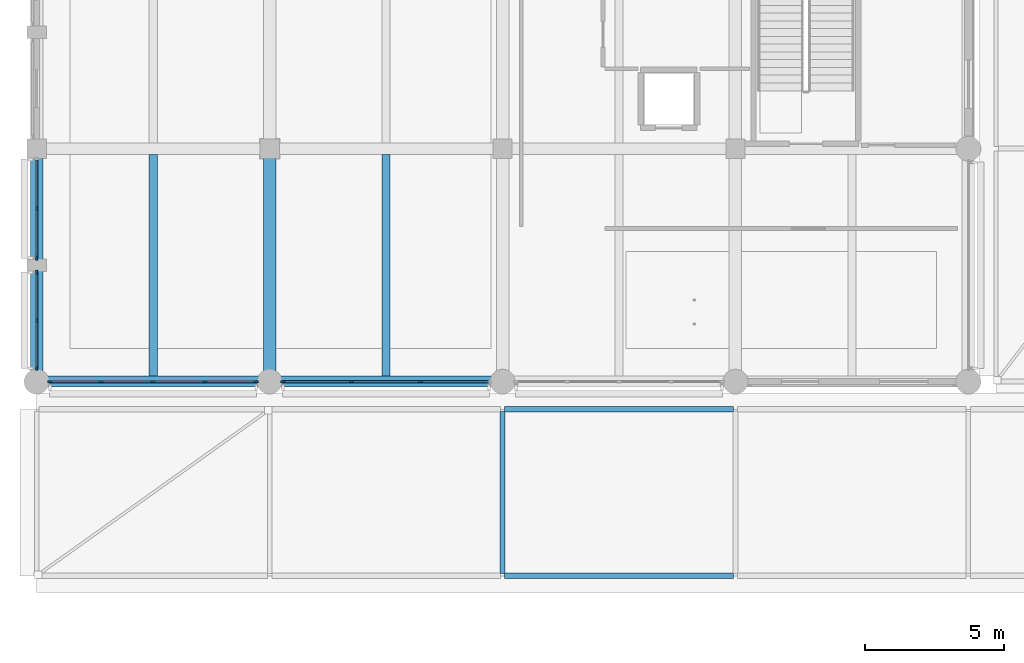
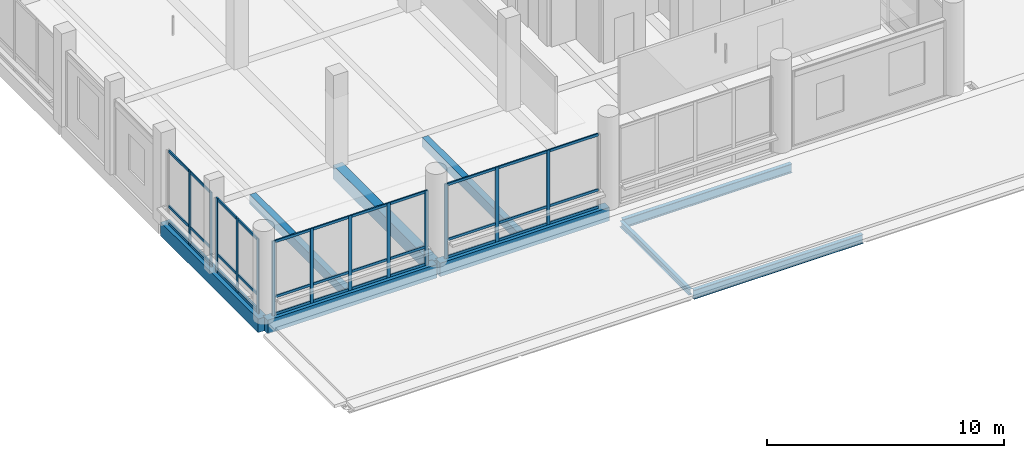
# One storey, part 4 of 128: 46 members, 9 beams, 4 elements without a shape of their own.
"""IFC4 building model written with IfcOpenShell, lengths in metres."""

from ifc_helpers import new_model, si_unit, direction, frame, origin, origin_2d, place, context, subcontext, project, spatial, rectangle, i_section, extrude, material, layer, layer_set, material_profile, profile_set, type_object, element, aggregate, save


model = new_model("IFC4")

# Units and contexts
model_context = context("Model", 3, precision=1e-05, world=origin(), true_north=direction((0.0, 1.0)))
body_context = subcontext(model_context, "Body", "Model", "MODEL_VIEW")
ifc_project = project(units=[si_unit("LENGTHUNIT", "METRE"), si_unit("AREAUNIT", "SQUARE_METRE"), si_unit("VOLUMEUNIT", "CUBIC_METRE"), si_unit("PLANEANGLEUNIT", "RADIAN"), si_unit("MASSUNIT", "GRAM", prefix="KILO")], contexts=[model_context])

# Site, building, storey
site_placement = place(None, origin())
site = spatial("IfcSite", under=ifc_project, at=site_placement, CompositionType="ELEMENT")
building_placement = place(site_placement, origin())
building = spatial("IfcBuilding", under=site, at=building_placement, Name="Telukmera Botanical Conservatory", CompositionType="ELEMENT")
storey_placement = place(building_placement, frame((0.0, 0.0, 5.39990234375)))
storey = spatial("IfcBuildingStorey", under=building, at=storey_placement, Name="L01", CompositionType="ELEMENT", Elevation=5.39990234375)

# Beams
ifc_material_1 = material(Name="Concrete C40/50", Category="concrete")
ifc_material_profile_1 = material_profile(ifc_material_1, rectangle(XDim=0.449951171875, YDim=0.699951171875, at=origin_2d()), Name="RC 450x700")
ifc_profile_set_1 = profile_set([ifc_material_profile_1], Name="Concrete C40/50")
beam_type_1 = type_object("IfcBeamType", Name="Beam_B15", PredefinedType="BEAM", material=ifc_profile_set_1)
for number, where, z_axis, x_axis, name in (
    (1, (8.39990234375, 17.679931640625, -0.349853515625), (0.0, 1.0, 0.0), (-1.0, 0.0, 0.0), "Visitor Wing Transverse Beam L01"),
    (2, (16.800048828125, 17.679931640625, -0.349853515625), (0.0, 1.0, 0.0), (-1.0, 0.0, 0.0), "Visitor Wing Transverse Beam L01"),
):
    element("IfcBeam", number, at=place(storey_placement, frame(where, z_axis=z_axis, x_axis=x_axis)), inside=storey, type_object=beam_type_1, Name=name, PredefinedType="BEAM", context=body_context, shape_type="SweptSolid", body=[
        extrude(rectangle(XDim=0.449951171875, YDim=0.699951171875, at=origin_2d()), origin(), (0.0, 0.0, 1.0), 8.239990234375),
    ])
ifc_material_profile_2 = material_profile(ifc_material_1, rectangle(XDim=0.300048828125, YDim=0.5, at=origin_2d()), Name="RC 300x500")
ifc_profile_set_2 = profile_set([ifc_material_profile_2], Name="Concrete C40/50")
beam_type_2 = type_object("IfcBeamType", Name="Beam_B24", PredefinedType="JOIST", material=ifc_profile_set_2)
for number, where, z_axis, x_axis, name in (
    (3, (12.60009765625, 17.800048828125, -0.25), (0.0, 1.0, 0.0), (-1.0, 0.0, 0.0), "Visitor Wing Floor Joist L01"),
    (4, (21.0, 17.800048828125, -0.25), (0.0, 1.0, 0.0), (-1.0, 0.0, 0.0), "Visitor Wing Floor Joist L01"),
):
    element("IfcBeam", number, at=place(storey_placement, frame(where, z_axis=z_axis, x_axis=x_axis)), inside=storey, type_object=beam_type_2, Name=name, PredefinedType="JOIST", context=body_context, shape_type="SweptSolid", body=[
        extrude(rectangle(XDim=0.300048828125, YDim=0.5, at=origin_2d()), origin(), (0.0, 0.0, 1.0), 8.0),
    ])
ifc_material_profile_3 = material_profile(ifc_material_1, rectangle(XDim=0.39990234375, YDim=0.699951171875, at=origin_2d()), Name="RC 400x700")
ifc_profile_set_3 = profile_set([ifc_material_profile_3], Name="Concrete C40/50")
beam_type_3 = type_object("IfcBeamType", Name="Beam_B7", PredefinedType="BEAM", material=ifc_profile_set_3)
beam_1_placement = place(storey_placement, frame((8.47998046875, 17.60009765625, -0.349853515625), z_axis=(1.0, 0.0, 0.0), x_axis=(0.0, 1.0, 0.0)))
element("IfcBeam", 5, at=beam_1_placement, inside=storey, type_object=beam_type_3, Name="Visitor Wing Grid Beam L01", PredefinedType="BEAM", context=body_context, shape_type="SweptSolid", body=[
    extrude(rectangle(XDim=0.39990234375, YDim=0.699951171875, at=origin_2d()), origin(), (0.0, 0.0, 1.0), 8.239990234375),
])
beam_2_placement = place(storey_placement, frame((16.8798828125, 17.60009765625, -0.349853515625), z_axis=(1.0, 0.0, 0.0), x_axis=(0.0, 1.0, 0.0)))
element("IfcBeam", 6, at=beam_2_placement, inside=storey, type_object=beam_type_3, Name="Visitor Wing Grid Beam L01", PredefinedType="BEAM", context=body_context, shape_type="SweptSolid", body=[
    extrude(rectangle(XDim=0.39990234375, YDim=0.699951171875, at=origin_2d()), origin(), (0.0, 0.0, 1.0), 8.240234375),
])
ifc_material_2 = material(Name="Steel S355", Category="steel")
ifc_material_profile_4 = material_profile(ifc_material_2, i_section(OverallWidth=0.19140625, OverallDepth=0.4599609375, WebThickness=0.010009765625, FlangeThickness=0.01611328125, FilletRadius=0.01025390625, at=origin_2d()), Name="UB 457x191x82")
ifc_profile_set_4 = profile_set([ifc_material_profile_4], Name="Steel S355")
beam_type_4 = type_object("IfcBeamType", Name="Beam_SB3", PredefinedType="BEAM", material=ifc_profile_set_4)
for number, where, z_axis, x_axis, name in (
    (7, (25.280029296875, 10.60009765625, -0.389892578125), (1.0, 0.0, 0.0), (0.0, 1.0, 0.0), "Canopy Steel Girder forecourt"),
    (8, (25.280029296875, 16.60009765625, -0.389892578125), (1.0, 0.0, 0.0), (0.0, 1.0, 0.0), "Canopy Steel Girder forecourt"),
):
    element("IfcBeam", number, at=place(storey_placement, frame(where, z_axis=z_axis, x_axis=x_axis)), inside=storey, type_object=beam_type_4, Name=name, PredefinedType="BEAM", context=body_context, shape_type="SweptSolid", body=[
        extrude(i_section(OverallWidth=0.19140625, OverallDepth=0.4599609375, WebThickness=0.010009765625, FlangeThickness=0.01611328125, FilletRadius=0.01025390625, at=origin_2d()), origin(), (0.0, 0.0, 1.0), 8.239990234375),
    ])
ifc_material_profile_5 = material_profile(ifc_material_2, i_section(OverallWidth=0.165771484375, OverallDepth=0.306640625, WebThickness=0.006591796875, FlangeThickness=0.01171875, FilletRadius=0.0087890625, at=origin_2d()), Name="UB 305x165x46")
ifc_profile_set_5 = profile_set([ifc_material_profile_5], Name="Steel S355")
beam_type_5 = type_object("IfcBeamType", Name="Beam_SB6", PredefinedType="JOIST", material=ifc_profile_set_5)
beam_3_placement = place(storey_placement, frame((25.199951171875, 10.679931640625, -0.313232421875), z_axis=(0.0, 1.0, 0.0), x_axis=(-1.0, 0.0, 0.0)))
element("IfcBeam", 9, at=beam_3_placement, inside=storey, type_object=beam_type_5, Name="Canopy Steel Purlin forecourt", PredefinedType="JOIST", context=body_context, shape_type="SweptSolid", body=[
    extrude(i_section(OverallWidth=0.165771484375, OverallDepth=0.306640625, WebThickness=0.006591796875, FlangeThickness=0.01171875, FilletRadius=0.0087890625, at=origin_2d()), origin(), (0.0, 0.0, 1.0), 5.840087890625),
])

# Curtain wall, members
ifc_material_3 = material(Name="Anodised aluminium 6063-T6", Category="aluminium")
ifc_layer_1 = layer(ifc_material_3, 0.179931640625)
ifc_layer_set_1 = layer_set([ifc_layer_1], Name="Anodised aluminium 6063-T6")
curtain_wall_type_1 = type_object("IfcCurtainWallType", Name="Visitor Gallery First Floor Curtain Wall 1800 Mod", PredefinedType="USERDEFINED", material=ifc_layer_set_1)
curtain_wall_1_placement = place(storey_placement, origin())
curtain_wall_1 = element("IfcCurtainWall", 10, at=curtain_wall_1_placement, inside=storey, type_object=curtain_wall_type_1, Name="Unitised Curtain Wall CW08 V3:L01:S1", ObjectType="UNITISED CURTAIN WALL", PredefinedType="USERDEFINED")
ifc_material_profile_6 = material_profile(ifc_material_3, rectangle(XDim=0.06494140625, YDim=0.159912109375, at=origin_2d()), Name="ALU MULL 65x160")
ifc_profile_set_6 = profile_set([ifc_material_profile_6], Name="Anodised aluminium 6063-T6")
member_type_1 = type_object("IfcMemberType", Name="Curtain Wall Extruded Mullion 65x160", PredefinedType="MULLION", material=ifc_profile_set_6)
member_1_placement = place(storey_placement, frame((8.884521484375, 17.60009765625, 0.0), z_axis=(0.0, 0.0, 1.0), x_axis=(0.0, 1.0, 0.0)))
member_1 = element("IfcMember", 11, at=member_1_placement, type_object=member_type_1, Name="CW08 mullion 1", PredefinedType="MULLION", context=body_context, shape_type="SweptSolid", body=[
    extrude(rectangle(XDim=0.06494140625, YDim=0.159912109375, at=origin_2d()), origin(), (0.0, 0.0, 1.0), 3.85009765625),
])
member_2_placement = place(storey_placement, frame((10.72607421875, 17.60009765625, 0.0), z_axis=(0.0, 0.0, 1.0), x_axis=(0.0, 1.0, 0.0)))
member_2 = element("IfcMember", 12, at=member_2_placement, type_object=member_type_1, Name="CW08 mullion 2", PredefinedType="MULLION", context=body_context, shape_type="SweptSolid", body=[
    extrude(rectangle(XDim=0.06494140625, YDim=0.159912109375, at=origin_2d()), origin(), (0.0, 0.0, 1.0), 3.85009765625),
])
member_3_placement = place(storey_placement, frame((12.60009765625, 17.60009765625, 0.0), z_axis=(0.0, 0.0, 1.0), x_axis=(0.0, 1.0, 0.0)))
member_3 = element("IfcMember", 13, at=member_3_placement, type_object=member_type_1, Name="CW08 mullion 3", PredefinedType="MULLION", context=body_context, shape_type="SweptSolid", body=[
    extrude(rectangle(XDim=0.06494140625, YDim=0.159912109375, at=origin_2d()), origin(), (0.0, 0.0, 1.0), 3.85009765625),
])
member_4_placement = place(storey_placement, frame((14.47412109375, 17.60009765625, 0.0), z_axis=(0.0, 0.0, 1.0), x_axis=(0.0, 1.0, 0.0)))
member_4 = element("IfcMember", 14, at=member_4_placement, type_object=member_type_1, Name="CW08 mullion 4", PredefinedType="MULLION", context=body_context, shape_type="SweptSolid", body=[
    extrude(rectangle(XDim=0.06494140625, YDim=0.159912109375, at=origin_2d()), origin(), (0.0, 0.0, 1.0), 3.85009765625),
])
member_5_placement = place(storey_placement, frame((16.3154296875, 17.60009765625, 0.0), z_axis=(0.0, 0.0, 1.0), x_axis=(0.0, 1.0, 0.0)))
member_5 = element("IfcMember", 15, at=member_5_placement, type_object=member_type_1, Name="CW08 mullion 5", PredefinedType="MULLION", context=body_context, shape_type="SweptSolid", body=[
    extrude(rectangle(XDim=0.06494140625, YDim=0.159912109375, at=origin_2d()), origin(), (0.0, 0.0, 1.0), 3.85009765625),
])

ifc_layer_2 = layer(ifc_material_3, 0.179931640625)
ifc_layer_set_2 = layer_set([ifc_layer_2], Name="Anodised aluminium 6063-T6")
curtain_wall_type_2 = type_object("IfcCurtainWallType", Name="Visitor Gallery Second Floor Curtain Wall 2400 Mod", PredefinedType="USERDEFINED", material=ifc_layer_set_2)
curtain_wall_2_placement = place(storey_placement, origin())
curtain_wall_2 = element("IfcCurtainWall", 16, at=curtain_wall_2_placement, inside=storey, type_object=curtain_wall_type_2, Name="Unitised Curtain Wall CW09 V3:L01:S2", ObjectType="UNITISED CURTAIN WALL", PredefinedType="USERDEFINED")
member_6_placement = place(storey_placement, frame((17.284423828125, 17.60009765625, 0.0), z_axis=(0.0, 0.0, 1.0), x_axis=(0.0, 1.0, 0.0)))
member_6 = element("IfcMember", 17, at=member_6_placement, type_object=member_type_1, Name="CW09 mullion 1", PredefinedType="MULLION", context=body_context, shape_type="SweptSolid", body=[
    extrude(rectangle(XDim=0.06494140625, YDim=0.159912109375, at=origin_2d()), origin(), (0.0, 0.0, 1.0), 3.85009765625),
])
member_7_placement = place(storey_placement, frame((19.750732421875, 17.60009765625, 0.0), z_axis=(0.0, 0.0, 1.0), x_axis=(0.0, 1.0, 0.0)))
member_7 = element("IfcMember", 18, at=member_7_placement, type_object=member_type_1, Name="CW09 mullion 2", PredefinedType="MULLION", context=body_context, shape_type="SweptSolid", body=[
    extrude(rectangle(XDim=0.06494140625, YDim=0.159912109375, at=origin_2d()), origin(), (0.0, 0.0, 1.0), 3.85009765625),
])
member_8_placement = place(storey_placement, frame((22.249267578125, 17.60009765625, 0.0), z_axis=(0.0, 0.0, 1.0), x_axis=(0.0, 1.0, 0.0)))
member_8 = element("IfcMember", 19, at=member_8_placement, type_object=member_type_1, Name="CW09 mullion 3", PredefinedType="MULLION", context=body_context, shape_type="SweptSolid", body=[
    extrude(rectangle(XDim=0.06494140625, YDim=0.159912109375, at=origin_2d()), origin(), (0.0, 0.0, 1.0), 3.85009765625),
])

curtain_wall_3_placement = place(storey_placement, origin())
curtain_wall_3 = element("IfcCurtainWall", 20, at=curtain_wall_3_placement, inside=storey, type_object=curtain_wall_type_1, Name="Unitised Curtain Wall CW08 V3:L01:W1A", ObjectType="UNITISED CURTAIN WALL", PredefinedType="USERDEFINED")
member_9_placement = place(storey_placement, frame((8.39990234375, 18.08447265625, 0.0), z_axis=(0.0, 0.0, 1.0), x_axis=(-1.0, 0.0, 0.0)))
member_9 = element("IfcMember", 21, at=member_9_placement, type_object=member_type_1, Name="CW08 mullion 1", PredefinedType="MULLION", context=body_context, shape_type="SweptSolid", body=[
    extrude(rectangle(XDim=0.06494140625, YDim=0.159912109375, at=origin_2d()), origin(), (0.0, 0.0, 1.0), 3.85009765625),
])
member_10_placement = place(storey_placement, frame((8.39990234375, 19.8125, 0.0), z_axis=(0.0, 0.0, 1.0), x_axis=(-1.0, 0.0, 0.0)))
member_10 = element("IfcMember", 22, at=member_10_placement, type_object=member_type_1, Name="CW08 mullion 2", PredefinedType="MULLION", context=body_context, shape_type="SweptSolid", body=[
    extrude(rectangle(XDim=0.06494140625, YDim=0.159912109375, at=origin_2d()), origin(), (0.0, 0.0, 1.0), 3.85009765625),
])
member_11_placement = place(storey_placement, frame((8.39990234375, 21.54052734375, 0.0), z_axis=(0.0, 0.0, 1.0), x_axis=(-1.0, 0.0, 0.0)))
member_11 = element("IfcMember", 23, at=member_11_placement, type_object=member_type_1, Name="CW08 mullion 3", PredefinedType="MULLION", context=body_context, shape_type="SweptSolid", body=[
    extrude(rectangle(XDim=0.06494140625, YDim=0.159912109375, at=origin_2d()), origin(), (0.0, 0.0, 1.0), 3.85009765625),
])

curtain_wall_4_placement = place(storey_placement, origin())
curtain_wall_4 = element("IfcCurtainWall", 24, at=curtain_wall_4_placement, inside=storey, type_object=curtain_wall_type_1, Name="Unitised Curtain Wall CW08 V3:L01:W1B", ObjectType="UNITISED CURTAIN WALL", PredefinedType="USERDEFINED")
member_12_placement = place(storey_placement, frame((8.39990234375, 22.0595703125, 0.0), z_axis=(0.0, 0.0, 1.0), x_axis=(-1.0, 0.0, 0.0)))
member_12 = element("IfcMember", 25, at=member_12_placement, type_object=member_type_1, Name="CW08 mullion 1", PredefinedType="MULLION", context=body_context, shape_type="SweptSolid", body=[
    extrude(rectangle(XDim=0.06494140625, YDim=0.159912109375, at=origin_2d()), origin(), (0.0, 0.0, 1.0), 3.85009765625),
])
member_13_placement = place(storey_placement, frame((8.39990234375, 23.83740234375, 0.0), z_axis=(0.0, 0.0, 1.0), x_axis=(-1.0, 0.0, 0.0)))
member_13 = element("IfcMember", 26, at=member_13_placement, type_object=member_type_1, Name="CW08 mullion 2", PredefinedType="MULLION", context=body_context, shape_type="SweptSolid", body=[
    extrude(rectangle(XDim=0.06494140625, YDim=0.159912109375, at=origin_2d()), origin(), (0.0, 0.0, 1.0), 3.85009765625),
])

# Member
ifc_material_profile_7 = material_profile(ifc_material_3, rectangle(XDim=0.06494140625, YDim=0.1298828125, at=origin_2d()), Name="ALU TRAN 65x130")
ifc_profile_set_7 = profile_set([ifc_material_profile_7], Name="Anodised aluminium 6063-T6")
member_type_2 = type_object("IfcMemberType", Name="Curtain Wall Extruded Transom 65x130", PredefinedType="USERDEFINED", material=ifc_profile_set_7)
member_14_placement = place(storey_placement, frame((8.9169921875, 17.60009765625, 0.065185546875), z_axis=(1.0, 0.0, 0.0), x_axis=(0.0, 1.0, 0.0)))
member_14 = element("IfcMember", 27, at=member_14_placement, type_object=member_type_2, Name="CW08 transom 1.1", ObjectType="TRANSOM", PredefinedType="USERDEFINED", context=body_context, shape_type="SweptSolid", body=[
    extrude(rectangle(XDim=0.06494140625, YDim=0.1298828125, at=origin_2d()), origin(), (0.0, 0.0, 1.0), 1.776611328125),
])

member_15_placement = place(storey_placement, frame((8.9169921875, 17.60009765625, 0.9501953125), z_axis=(1.0, 0.0, 0.0), x_axis=(0.0, 1.0, 0.0)))
member_15 = element("IfcMember", 28, at=member_15_placement, type_object=member_type_2, Name="CW08 transom 1.2", ObjectType="TRANSOM", PredefinedType="USERDEFINED", context=body_context, shape_type="SweptSolid", body=[
    extrude(rectangle(XDim=0.06494140625, YDim=0.1298828125, at=origin_2d()), origin(), (0.0, 0.0, 1.0), 1.776611328125),
])

member_16_placement = place(storey_placement, frame((8.9169921875, 17.60009765625, 3.78515625), z_axis=(1.0, 0.0, 0.0), x_axis=(0.0, 1.0, 0.0)))
member_16 = element("IfcMember", 29, at=member_16_placement, type_object=member_type_2, Name="CW08 transom 1.3", ObjectType="TRANSOM", PredefinedType="USERDEFINED", context=body_context, shape_type="SweptSolid", body=[
    extrude(rectangle(XDim=0.06494140625, YDim=0.1298828125, at=origin_2d()), origin(), (0.0, 0.0, 1.0), 1.776611328125),
])

member_17_placement = place(storey_placement, frame((10.758544921875, 17.60009765625, 0.065185546875), z_axis=(1.0, 0.0, 0.0), x_axis=(0.0, 1.0, 0.0)))
member_17 = element("IfcMember", 30, at=member_17_placement, type_object=member_type_2, Name="CW08 transom 2.1", ObjectType="TRANSOM", PredefinedType="USERDEFINED", context=body_context, shape_type="SweptSolid", body=[
    extrude(rectangle(XDim=0.06494140625, YDim=0.1298828125, at=origin_2d()), origin(), (0.0, 0.0, 1.0), 1.808837890625),
])

member_18_placement = place(storey_placement, frame((10.758544921875, 17.60009765625, 0.9501953125), z_axis=(1.0, 0.0, 0.0), x_axis=(0.0, 1.0, 0.0)))
member_18 = element("IfcMember", 31, at=member_18_placement, type_object=member_type_2, Name="CW08 transom 2.2", ObjectType="TRANSOM", PredefinedType="USERDEFINED", context=body_context, shape_type="SweptSolid", body=[
    extrude(rectangle(XDim=0.06494140625, YDim=0.1298828125, at=origin_2d()), origin(), (0.0, 0.0, 1.0), 1.808837890625),
])

member_19_placement = place(storey_placement, frame((10.758544921875, 17.60009765625, 3.78515625), z_axis=(1.0, 0.0, 0.0), x_axis=(0.0, 1.0, 0.0)))
member_19 = element("IfcMember", 32, at=member_19_placement, type_object=member_type_2, Name="CW08 transom 2.3", ObjectType="TRANSOM", PredefinedType="USERDEFINED", context=body_context, shape_type="SweptSolid", body=[
    extrude(rectangle(XDim=0.06494140625, YDim=0.1298828125, at=origin_2d()), origin(), (0.0, 0.0, 1.0), 1.808837890625),
])

member_20_placement = place(storey_placement, frame((12.632568359375, 17.60009765625, 0.065185546875), z_axis=(1.0, 0.0, 0.0), x_axis=(0.0, 1.0, 0.0)))
member_20 = element("IfcMember", 33, at=member_20_placement, type_object=member_type_2, Name="CW08 transom 3.1", ObjectType="TRANSOM", PredefinedType="USERDEFINED", context=body_context, shape_type="SweptSolid", body=[
    extrude(rectangle(XDim=0.06494140625, YDim=0.1298828125, at=origin_2d()), origin(), (0.0, 0.0, 1.0), 1.808837890625),
])

member_21_placement = place(storey_placement, frame((12.632568359375, 17.60009765625, 0.9501953125), z_axis=(1.0, 0.0, 0.0), x_axis=(0.0, 1.0, 0.0)))
member_21 = element("IfcMember", 34, at=member_21_placement, type_object=member_type_2, Name="CW08 transom 3.2", ObjectType="TRANSOM", PredefinedType="USERDEFINED", context=body_context, shape_type="SweptSolid", body=[
    extrude(rectangle(XDim=0.06494140625, YDim=0.1298828125, at=origin_2d()), origin(), (0.0, 0.0, 1.0), 1.808837890625),
])

member_22_placement = place(storey_placement, frame((12.632568359375, 17.60009765625, 3.78515625), z_axis=(1.0, 0.0, 0.0), x_axis=(0.0, 1.0, 0.0)))
member_22 = element("IfcMember", 35, at=member_22_placement, type_object=member_type_2, Name="CW08 transom 3.3", ObjectType="TRANSOM", PredefinedType="USERDEFINED", context=body_context, shape_type="SweptSolid", body=[
    extrude(rectangle(XDim=0.06494140625, YDim=0.1298828125, at=origin_2d()), origin(), (0.0, 0.0, 1.0), 1.808837890625),
])

member_23_placement = place(storey_placement, frame((14.506591796875, 17.60009765625, 0.065185546875), z_axis=(1.0, 0.0, 0.0), x_axis=(0.0, 1.0, 0.0)))
member_23 = element("IfcMember", 36, at=member_23_placement, type_object=member_type_2, Name="CW08 transom 4.1", ObjectType="TRANSOM", PredefinedType="USERDEFINED", context=body_context, shape_type="SweptSolid", body=[
    extrude(rectangle(XDim=0.06494140625, YDim=0.1298828125, at=origin_2d()), origin(), (0.0, 0.0, 1.0), 1.7763671875),
])

member_24_placement = place(storey_placement, frame((14.506591796875, 17.60009765625, 0.9501953125), z_axis=(1.0, 0.0, 0.0), x_axis=(0.0, 1.0, 0.0)))
member_24 = element("IfcMember", 37, at=member_24_placement, type_object=member_type_2, Name="CW08 transom 4.2", ObjectType="TRANSOM", PredefinedType="USERDEFINED", context=body_context, shape_type="SweptSolid", body=[
    extrude(rectangle(XDim=0.06494140625, YDim=0.1298828125, at=origin_2d()), origin(), (0.0, 0.0, 1.0), 1.7763671875),
])

member_25_placement = place(storey_placement, frame((14.506591796875, 17.60009765625, 3.78515625), z_axis=(1.0, 0.0, 0.0), x_axis=(0.0, 1.0, 0.0)))
member_25 = element("IfcMember", 38, at=member_25_placement, type_object=member_type_2, Name="CW08 transom 4.3", ObjectType="TRANSOM", PredefinedType="USERDEFINED", context=body_context, shape_type="SweptSolid", body=[
    extrude(rectangle(XDim=0.06494140625, YDim=0.1298828125, at=origin_2d()), origin(), (0.0, 0.0, 1.0), 1.7763671875),
])

aggregate(curtain_wall_1, [member_1, member_2, member_3, member_4, member_5, member_14, member_15, member_16, member_17, member_18, member_19, member_20, member_21, member_22, member_23, member_24, member_25])

member_26_placement = place(storey_placement, frame((17.31689453125, 17.60009765625, 0.065185546875), z_axis=(1.0, 0.0, 0.0), x_axis=(0.0, 1.0, 0.0)))
member_26 = element("IfcMember", 39, at=member_26_placement, type_object=member_type_2, Name="CW09 transom 1.1", ObjectType="TRANSOM", PredefinedType="USERDEFINED", context=body_context, shape_type="SweptSolid", body=[
    extrude(rectangle(XDim=0.06494140625, YDim=0.1298828125, at=origin_2d()), origin(), (0.0, 0.0, 1.0), 2.4013671875),
])

member_27_placement = place(storey_placement, frame((17.31689453125, 17.60009765625, 0.9501953125), z_axis=(1.0, 0.0, 0.0), x_axis=(0.0, 1.0, 0.0)))
member_27 = element("IfcMember", 40, at=member_27_placement, type_object=member_type_2, Name="CW09 transom 1.2", ObjectType="TRANSOM", PredefinedType="USERDEFINED", context=body_context, shape_type="SweptSolid", body=[
    extrude(rectangle(XDim=0.06494140625, YDim=0.1298828125, at=origin_2d()), origin(), (0.0, 0.0, 1.0), 2.4013671875),
])

member_28_placement = place(storey_placement, frame((17.31689453125, 17.60009765625, 3.78515625), z_axis=(1.0, 0.0, 0.0), x_axis=(0.0, 1.0, 0.0)))
member_28 = element("IfcMember", 41, at=member_28_placement, type_object=member_type_2, Name="CW09 transom 1.3", ObjectType="TRANSOM", PredefinedType="USERDEFINED", context=body_context, shape_type="SweptSolid", body=[
    extrude(rectangle(XDim=0.06494140625, YDim=0.1298828125, at=origin_2d()), origin(), (0.0, 0.0, 1.0), 2.4013671875),
])

member_29_placement = place(storey_placement, frame((19.783203125, 17.60009765625, 0.065185546875), z_axis=(1.0, 0.0, 0.0), x_axis=(0.0, 1.0, 0.0)))
member_29 = element("IfcMember", 42, at=member_29_placement, type_object=member_type_2, Name="CW09 transom 2.1", ObjectType="TRANSOM", PredefinedType="USERDEFINED", context=body_context, shape_type="SweptSolid", body=[
    extrude(rectangle(XDim=0.06494140625, YDim=0.1298828125, at=origin_2d()), origin(), (0.0, 0.0, 1.0), 2.43359375),
])

member_30_placement = place(storey_placement, frame((19.783203125, 17.60009765625, 0.9501953125), z_axis=(1.0, 0.0, 0.0), x_axis=(0.0, 1.0, 0.0)))
member_30 = element("IfcMember", 43, at=member_30_placement, type_object=member_type_2, Name="CW09 transom 2.2", ObjectType="TRANSOM", PredefinedType="USERDEFINED", context=body_context, shape_type="SweptSolid", body=[
    extrude(rectangle(XDim=0.06494140625, YDim=0.1298828125, at=origin_2d()), origin(), (0.0, 0.0, 1.0), 2.43359375),
])

member_31_placement = place(storey_placement, frame((19.783203125, 17.60009765625, 3.78515625), z_axis=(1.0, 0.0, 0.0), x_axis=(0.0, 1.0, 0.0)))
member_31 = element("IfcMember", 44, at=member_31_placement, type_object=member_type_2, Name="CW09 transom 2.3", ObjectType="TRANSOM", PredefinedType="USERDEFINED", context=body_context, shape_type="SweptSolid", body=[
    extrude(rectangle(XDim=0.06494140625, YDim=0.1298828125, at=origin_2d()), origin(), (0.0, 0.0, 1.0), 2.43359375),
])

member_32_placement = place(storey_placement, frame((22.28173828125, 17.60009765625, 0.065185546875), z_axis=(1.0, 0.0, 0.0), x_axis=(0.0, 1.0, 0.0)))
member_32 = element("IfcMember", 45, at=member_32_placement, type_object=member_type_2, Name="CW09 transom 3.1", ObjectType="TRANSOM", PredefinedType="USERDEFINED", context=body_context, shape_type="SweptSolid", body=[
    extrude(rectangle(XDim=0.06494140625, YDim=0.1298828125, at=origin_2d()), origin(), (0.0, 0.0, 1.0), 2.4013671875),
])

member_33_placement = place(storey_placement, frame((22.28173828125, 17.60009765625, 0.9501953125), z_axis=(1.0, 0.0, 0.0), x_axis=(0.0, 1.0, 0.0)))
member_33 = element("IfcMember", 46, at=member_33_placement, type_object=member_type_2, Name="CW09 transom 3.2", ObjectType="TRANSOM", PredefinedType="USERDEFINED", context=body_context, shape_type="SweptSolid", body=[
    extrude(rectangle(XDim=0.06494140625, YDim=0.1298828125, at=origin_2d()), origin(), (0.0, 0.0, 1.0), 2.4013671875),
])

member_34_placement = place(storey_placement, frame((22.28173828125, 17.60009765625, 3.78515625), z_axis=(1.0, 0.0, 0.0), x_axis=(0.0, 1.0, 0.0)))
member_34 = element("IfcMember", 47, at=member_34_placement, type_object=member_type_2, Name="CW09 transom 3.3", ObjectType="TRANSOM", PredefinedType="USERDEFINED", context=body_context, shape_type="SweptSolid", body=[
    extrude(rectangle(XDim=0.06494140625, YDim=0.1298828125, at=origin_2d()), origin(), (0.0, 0.0, 1.0), 2.4013671875),
])

aggregate(curtain_wall_2, [member_6, member_7, member_8, member_26, member_27, member_28, member_29, member_30, member_31, member_32, member_33, member_34])

member_35_placement = place(storey_placement, frame((8.39990234375, 18.116943359375, 0.065185546875), z_axis=(0.0, 1.0, 0.0), x_axis=(-1.0, 0.0, 0.0)))
member_35 = element("IfcMember", 48, at=member_35_placement, type_object=member_type_2, Name="CW08 transom 1.1", ObjectType="TRANSOM", PredefinedType="USERDEFINED", context=body_context, shape_type="SweptSolid", body=[
    extrude(rectangle(XDim=0.06494140625, YDim=0.1298828125, at=origin_2d()), origin(), (0.0, 0.0, 1.0), 1.6630859375),
])

member_36_placement = place(storey_placement, frame((8.39990234375, 18.116943359375, 0.9501953125), z_axis=(0.0, 1.0, 0.0), x_axis=(-1.0, 0.0, 0.0)))
member_36 = element("IfcMember", 49, at=member_36_placement, type_object=member_type_2, Name="CW08 transom 1.2", ObjectType="TRANSOM", PredefinedType="USERDEFINED", context=body_context, shape_type="SweptSolid", body=[
    extrude(rectangle(XDim=0.06494140625, YDim=0.1298828125, at=origin_2d()), origin(), (0.0, 0.0, 1.0), 1.6630859375),
])

member_37_placement = place(storey_placement, frame((8.39990234375, 18.116943359375, 3.78515625), z_axis=(0.0, 1.0, 0.0), x_axis=(-1.0, 0.0, 0.0)))
member_37 = element("IfcMember", 50, at=member_37_placement, type_object=member_type_2, Name="CW08 transom 1.3", ObjectType="TRANSOM", PredefinedType="USERDEFINED", context=body_context, shape_type="SweptSolid", body=[
    extrude(rectangle(XDim=0.06494140625, YDim=0.1298828125, at=origin_2d()), origin(), (0.0, 0.0, 1.0), 1.6630859375),
])

member_38_placement = place(storey_placement, frame((8.39990234375, 19.844970703125, 0.065185546875), z_axis=(0.0, 1.0, 0.0), x_axis=(-1.0, 0.0, 0.0)))
member_38 = element("IfcMember", 51, at=member_38_placement, type_object=member_type_2, Name="CW08 transom 2.1", ObjectType="TRANSOM", PredefinedType="USERDEFINED", context=body_context, shape_type="SweptSolid", body=[
    extrude(rectangle(XDim=0.06494140625, YDim=0.1298828125, at=origin_2d()), origin(), (0.0, 0.0, 1.0), 1.6630859375),
])

member_39_placement = place(storey_placement, frame((8.39990234375, 19.844970703125, 0.9501953125), z_axis=(0.0, 1.0, 0.0), x_axis=(-1.0, 0.0, 0.0)))
member_39 = element("IfcMember", 52, at=member_39_placement, type_object=member_type_2, Name="CW08 transom 2.2", ObjectType="TRANSOM", PredefinedType="USERDEFINED", context=body_context, shape_type="SweptSolid", body=[
    extrude(rectangle(XDim=0.06494140625, YDim=0.1298828125, at=origin_2d()), origin(), (0.0, 0.0, 1.0), 1.6630859375),
])

member_40_placement = place(storey_placement, frame((8.39990234375, 19.844970703125, 3.78515625), z_axis=(0.0, 1.0, 0.0), x_axis=(-1.0, 0.0, 0.0)))
member_40 = element("IfcMember", 53, at=member_40_placement, type_object=member_type_2, Name="CW08 transom 2.3", ObjectType="TRANSOM", PredefinedType="USERDEFINED", context=body_context, shape_type="SweptSolid", body=[
    extrude(rectangle(XDim=0.06494140625, YDim=0.1298828125, at=origin_2d()), origin(), (0.0, 0.0, 1.0), 1.6630859375),
])

aggregate(curtain_wall_3, [member_9, member_10, member_11, member_35, member_36, member_37, member_38, member_39, member_40])

member_41_placement = place(storey_placement, frame((8.39990234375, 22.092041015625, 0.065185546875), z_axis=(0.0, 1.0, 0.0), x_axis=(-1.0, 0.0, 0.0)))
member_41 = element("IfcMember", 54, at=member_41_placement, type_object=member_type_2, Name="CW08 transom 1.1", ObjectType="TRANSOM", PredefinedType="USERDEFINED", context=body_context, shape_type="SweptSolid", body=[
    extrude(rectangle(XDim=0.06494140625, YDim=0.1298828125, at=origin_2d()), origin(), (0.0, 0.0, 1.0), 1.712890625),
])

member_42_placement = place(storey_placement, frame((8.39990234375, 22.092041015625, 0.9501953125), z_axis=(0.0, 1.0, 0.0), x_axis=(-1.0, 0.0, 0.0)))
member_42 = element("IfcMember", 55, at=member_42_placement, type_object=member_type_2, Name="CW08 transom 1.2", ObjectType="TRANSOM", PredefinedType="USERDEFINED", context=body_context, shape_type="SweptSolid", body=[
    extrude(rectangle(XDim=0.06494140625, YDim=0.1298828125, at=origin_2d()), origin(), (0.0, 0.0, 1.0), 1.712890625),
])

member_43_placement = place(storey_placement, frame((8.39990234375, 22.092041015625, 3.78515625), z_axis=(0.0, 1.0, 0.0), x_axis=(-1.0, 0.0, 0.0)))
member_43 = element("IfcMember", 56, at=member_43_placement, type_object=member_type_2, Name="CW08 transom 1.3", ObjectType="TRANSOM", PredefinedType="USERDEFINED", context=body_context, shape_type="SweptSolid", body=[
    extrude(rectangle(XDim=0.06494140625, YDim=0.1298828125, at=origin_2d()), origin(), (0.0, 0.0, 1.0), 1.712890625),
])

member_44_placement = place(storey_placement, frame((8.39990234375, 23.8701171875, 0.065185546875), z_axis=(0.0, 1.0, 0.0), x_axis=(-1.0, 0.0, 0.0)))
member_44 = element("IfcMember", 57, at=member_44_placement, type_object=member_type_2, Name="CW08 transom 2.1", ObjectType="TRANSOM", PredefinedType="USERDEFINED", context=body_context, shape_type="SweptSolid", body=[
    extrude(rectangle(XDim=0.06494140625, YDim=0.1298828125, at=origin_2d()), origin(), (0.0, 0.0, 1.0), 1.712890625),
])

member_45_placement = place(storey_placement, frame((8.39990234375, 23.8701171875, 0.9501953125), z_axis=(0.0, 1.0, 0.0), x_axis=(-1.0, 0.0, 0.0)))
member_45 = element("IfcMember", 58, at=member_45_placement, type_object=member_type_2, Name="CW08 transom 2.2", ObjectType="TRANSOM", PredefinedType="USERDEFINED", context=body_context, shape_type="SweptSolid", body=[
    extrude(rectangle(XDim=0.06494140625, YDim=0.1298828125, at=origin_2d()), origin(), (0.0, 0.0, 1.0), 1.712890625),
])

member_46_placement = place(storey_placement, frame((8.39990234375, 23.8701171875, 3.78515625), z_axis=(0.0, 1.0, 0.0), x_axis=(-1.0, 0.0, 0.0)))
member_46 = element("IfcMember", 59, at=member_46_placement, type_object=member_type_2, Name="CW08 transom 2.3", ObjectType="TRANSOM", PredefinedType="USERDEFINED", context=body_context, shape_type="SweptSolid", body=[
    extrude(rectangle(XDim=0.06494140625, YDim=0.1298828125, at=origin_2d()), origin(), (0.0, 0.0, 1.0), 1.712890625),
])

aggregate(curtain_wall_4, [member_12, member_13, member_41, member_42, member_43, member_44, member_45, member_46])

save(model, "model.ifc")
